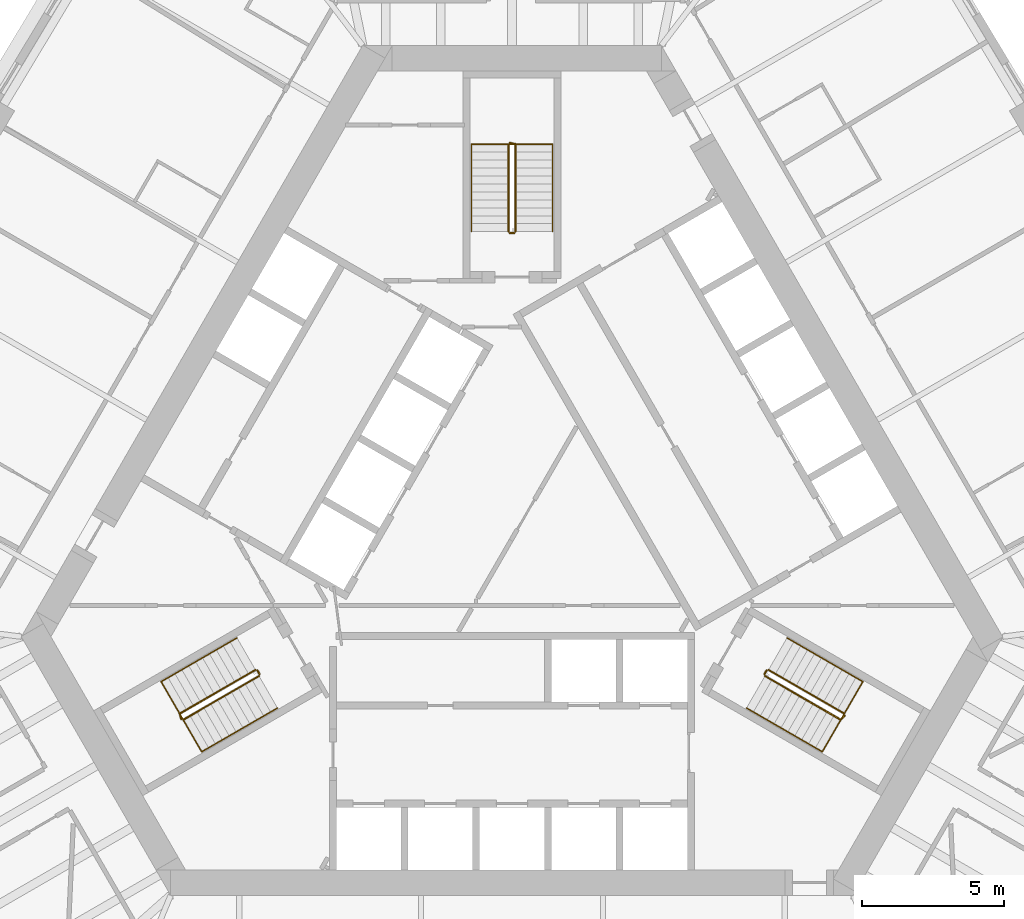
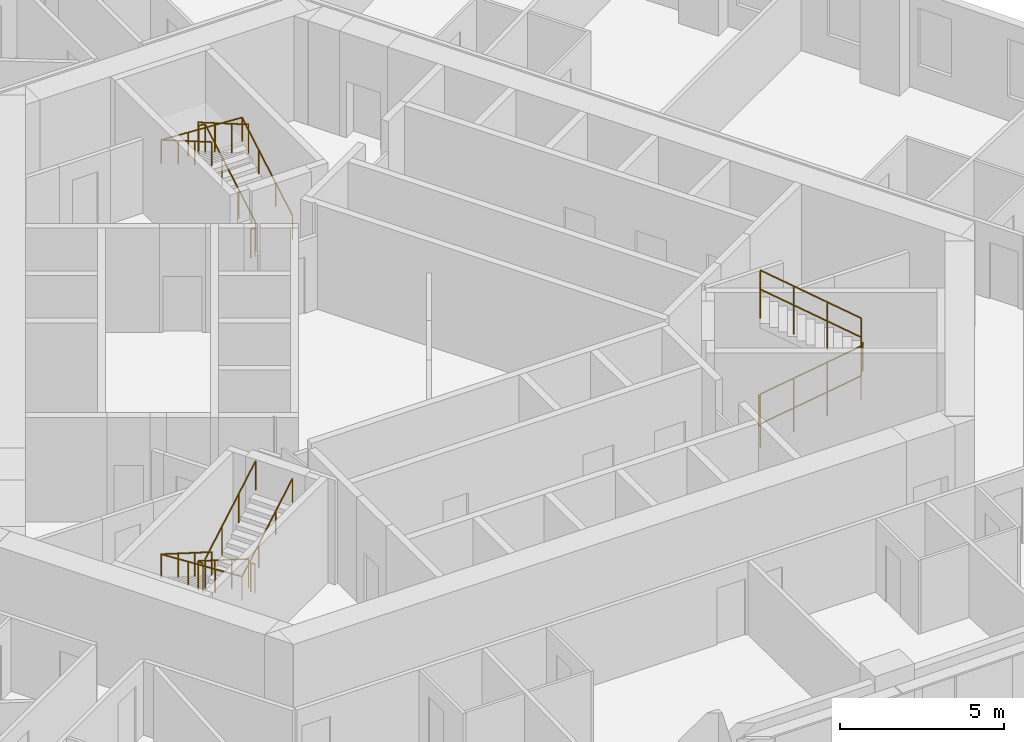
# One storey, part 13 of 13: 12 railings.
"""IFC4 building model written with IfcOpenShell, lengths in metres."""

from ifc_helpers import new_model, si_unit, direction, frame, origin, origin_2d, place, context, subcontext, project, spatial, circle, extrude, material, type_object, element, save


model = new_model("IFC4")

# Units and contexts
model_context = context("Model", 3, precision=1e-05, world=origin(), true_north=direction((0.0, 1.0)))
body_context = subcontext(model_context, "Body", "Model", "MODEL_VIEW")
ifc_project = project(units=[si_unit("LENGTHUNIT", "METRE"), si_unit("AREAUNIT", "SQUARE_METRE"), si_unit("VOLUMEUNIT", "CUBIC_METRE"), si_unit("PLANEANGLEUNIT", "RADIAN"), si_unit("MASSUNIT", "GRAM", prefix="KILO")], contexts=[model_context])

# Site, building, storey
site_placement = place(None, origin())
site = spatial("IfcSite", under=ifc_project, at=site_placement, CompositionType="ELEMENT")
building_placement = place(site_placement, origin())
building = spatial("IfcBuilding", under=site, at=building_placement, Name="Mestral Congress Tower", CompositionType="ELEMENT")
storey_placement = place(building_placement, frame((0.0, 0.0, 54.89990234375)))
storey = spatial("IfcBuildingStorey", under=building, at=storey_placement, Name="L12", CompositionType="ELEMENT", Elevation=54.89990234375)

# Railings
ifc_material_1 = material(Name="Steel balustrade", Category="steel")
railing_type_1 = type_object("IfcRailingType", Name="Stair guard 1100", PredefinedType="GUARDRAIL", material=ifc_material_1)
railing_1_placement = place(storey_placement, frame((8.90087890625, -5.283203125, 0.16259765625)))
element("IfcRailing", 1, at=railing_1_placement, inside=storey, type_object=railing_type_1, Name="L12 ST1 stair guard 1", PredefinedType="GUARDRAIL", context=body_context, shape_type="SweptSolid", body=[
    extrude(circle(Radius=0.02392578125, at=origin_2d()), frame((0.0, 0.0, 1.076171875), z_axis=(0.748993966903, -0.432462603499, 0.501980212875), x_axis=(0.500026652407, 0.866010015463, 0.0)), (0.0, 0.0, 1.0), 3.56103515625),
    extrude(circle(Radius=0.02392578125, at=origin_2d()), frame((2.667236328125, -1.5400390625, 2.86376953125), z_axis=(0.695164929852, 0.718850276695, 0.0), x_axis=(-0.718850276695, 0.695164929852, 0.0)), (0.0, 0.0, 1.0), 0.2060546875),
    extrude(circle(Radius=0.02099609375, at=origin_2d()), origin(), (0.0, 0.0, 1.0), 1.052001953125),
    extrude(circle(Radius=0.02099609375, at=origin_2d()), frame((0.88916015625, -0.513427734375, 0.595947265625)), (0.0, 0.0, 1.0), 1.052001953125),
    extrude(circle(Radius=0.02099609375, at=origin_2d()), frame((1.778076171875, -1.026611328125, 1.191650390625)), (0.0, 0.0, 1.0), 1.052001953125),
    extrude(circle(Radius=0.02099609375, at=origin_2d()), frame((2.667236328125, -1.5400390625, 1.78759765625)), (0.0, 0.0, 1.0), 1.052001953125),
    extrude(circle(Radius=0.02099609375, at=origin_2d()), frame((2.810546875, -1.391845703125, 1.78759765625)), (0.0, 0.0, 1.0), 1.052001953125),
])
railing_2_placement = place(storey_placement, frame((11.693115234375, -6.606689453125, 2.112548828125)))
element("IfcRailing", 2, at=railing_2_placement, inside=storey, type_object=railing_type_1, Name="L12 ST1 stair guard 2", PredefinedType="GUARDRAIL", context=body_context, shape_type="SweptSolid", body=[
    extrude(circle(Radius=0.02392578125, at=origin_2d()), frame((0.0, 0.0, 1.076171875), z_axis=(-0.748993966903, 0.432462603499, 0.501980212875), x_axis=(-0.500026652407, -0.866010015463, 0.0)), (0.0, 0.0, 1.0), 3.56103515625),
    extrude(circle(Radius=0.02099609375, at=origin_2d()), origin(), (0.0, 0.0, 1.0), 1.052001953125),
    extrude(circle(Radius=0.02099609375, at=origin_2d()), frame((-0.88916015625, 0.513427734375, 0.595947265625)), (0.0, 0.0, 1.0), 1.052001953125),
    extrude(circle(Radius=0.02099609375, at=origin_2d()), frame((-1.778076171875, 1.026611328125, 1.191650390625)), (0.0, 0.0, 1.0), 1.052001953125),
    extrude(circle(Radius=0.02099609375, at=origin_2d()), frame((-2.667236328125, 1.5400390625, 1.78759765625)), (0.0, 0.0, 1.0), 1.052001953125),
])
railing_3_placement = place(storey_placement, frame((8.882568359375, -5.21484375, 0.0)))
element("IfcRailing", 3, at=railing_3_placement, inside=storey, type_object=railing_type_1, Name="L12 ST1 stair guard 3", PredefinedType="GUARDRAIL", context=body_context, shape_type="SweptSolid", body=[
    extrude(circle(Radius=0.02392578125, at=origin_2d()), frame((0.0, 0.0, 1.076171875), z_axis=(0.499816412211, 0.866131372301, 0.0), x_axis=(-0.866131372301, 0.499816412211, 0.0)), (0.0, 0.0, 1.0), 0.14990234375),
    extrude(circle(Radius=0.02099609375, at=origin_2d()), origin(), (0.0, 0.0, 1.0), 1.052001953125),
    extrude(circle(Radius=0.02099609375, at=origin_2d()), frame((0.074951171875, 0.1298828125, 0.0)), (0.0, 0.0, 1.0), 1.052001953125),
])
railing_4_placement = place(storey_placement, frame((0.125, 10.35009765625, 0.16259765625)))
element("IfcRailing", 4, at=railing_4_placement, inside=storey, type_object=railing_type_1, Name="L12 ST2 stair guard 1", PredefinedType="GUARDRAIL", context=body_context, shape_type="SweptSolid", body=[
    extrude(circle(Radius=0.02392578125, at=origin_2d()), frame((0.0, 0.0, 1.076171875), z_axis=(0.0, 0.864873446163, 0.501989962173), x_axis=(-1.0, 0.0, 0.0)), (0.0, 0.0, 1.0), 3.56103515625),
    extrude(circle(Radius=0.02392578125, at=origin_2d()), frame((0.0, 3.079833984375, 2.86376953125), z_axis=(-0.970072785993, 0.242814311512, 0.0), x_axis=(-0.242814311512, -0.970072785993, 0.0)), (0.0, 0.0, 1.0), 0.2060546875),
    extrude(circle(Radius=0.02099609375, at=origin_2d()), origin(), (0.0, 0.0, 1.0), 1.052001953125),
    extrude(circle(Radius=0.02099609375, at=origin_2d()), frame((0.0, 1.026611328125, 0.595947265625)), (0.0, 0.0, 1.0), 1.052001953125),
    extrude(circle(Radius=0.02099609375, at=origin_2d()), frame((0.0, 2.05322265625, 1.191650390625)), (0.0, 0.0, 1.0), 1.052001953125),
    extrude(circle(Radius=0.02099609375, at=origin_2d()), frame((0.0, 3.079833984375, 1.78759765625)), (0.0, 0.0, 1.0), 1.052001953125),
    extrude(circle(Radius=0.02099609375, at=origin_2d()), frame((-0.199951171875, 3.1298828125, 1.78759765625)), (0.0, 0.0, 1.0), 1.052001953125),
])
railing_5_placement = place(storey_placement, frame((-0.125, 13.429931640625, 2.112548828125)))
element("IfcRailing", 5, at=railing_5_placement, inside=storey, type_object=railing_type_1, Name="L12 ST2 stair guard 2", PredefinedType="GUARDRAIL", context=body_context, shape_type="SweptSolid", body=[
    extrude(circle(Radius=0.02392578125, at=origin_2d()), frame((0.0, 0.0, 1.076171875), z_axis=(0.0, -0.864873446163, 0.501989962173), x_axis=(1.0, 0.0, 0.0)), (0.0, 0.0, 1.0), 3.56103515625),
    extrude(circle(Radius=0.02099609375, at=origin_2d()), origin(), (0.0, 0.0, 1.0), 1.052001953125),
    extrude(circle(Radius=0.02099609375, at=origin_2d()), frame((0.0, -1.026611328125, 0.595947265625)), (0.0, 0.0, 1.0), 1.052001953125),
    extrude(circle(Radius=0.02099609375, at=origin_2d()), frame((0.0, -2.05322265625, 1.191650390625)), (0.0, 0.0, 1.0), 1.052001953125),
    extrude(circle(Radius=0.02099609375, at=origin_2d()), frame((0.0, -3.079833984375, 1.78759765625)), (0.0, 0.0, 1.0), 1.052001953125),
])
railing_6_placement = place(storey_placement, frame((0.074951171875, 10.300048828125, 0.0)))
element("IfcRailing", 6, at=railing_6_placement, inside=storey, type_object=railing_type_1, Name="L12 ST2 stair guard 3", PredefinedType="GUARDRAIL", context=body_context, shape_type="SweptSolid", body=[
    extrude(circle(Radius=0.02392578125, at=origin_2d()), frame((0.0, 0.0, 1.076171875), z_axis=(-1.0, 0.0, 0.0), x_axis=(0.0, -1.0, 0.0)), (0.0, 0.0, 1.0), 0.14990234375),
    extrude(circle(Radius=0.02099609375, at=origin_2d()), origin(), (0.0, 0.0, 1.0), 1.052001953125),
    extrude(circle(Radius=0.02099609375, at=origin_2d()), frame((-0.14990234375, 0.0, 0.0)), (0.0, 0.0, 1.0), 1.052001953125),
])
railing_7_placement = place(storey_placement, frame((-9.02587890625, -5.066650390625, 0.16259765625)))
element("IfcRailing", 7, at=railing_7_placement, inside=storey, type_object=railing_type_1, Name="L12 ST3 stair guard 1", PredefinedType="GUARDRAIL", context=body_context, shape_type="SweptSolid", body=[
    extrude(circle(Radius=0.02392578125, at=origin_2d()), frame((0.0, 0.0, 1.076171875), z_axis=(-0.748993966903, -0.432462603499, 0.501980212875), x_axis=(0.500026652407, -0.866010015463, 0.0)), (0.0, 0.0, 1.0), 3.56103515625),
    extrude(circle(Radius=0.02392578125, at=origin_2d()), frame((-2.667236328125, -1.5400390625, 2.86376953125), z_axis=(0.274721127897, -0.961523947641, 0.0), x_axis=(0.961523947641, 0.274721127897, 0.0)), (0.0, 0.0, 1.0), 0.2060546875),
    extrude(circle(Radius=0.02099609375, at=origin_2d()), origin(), (0.0, 0.0, 1.0), 1.052001953125),
    extrude(circle(Radius=0.02099609375, at=origin_2d()), frame((-0.88916015625, -0.513427734375, 0.595947265625)), (0.0, 0.0, 1.0), 1.052001953125),
    extrude(circle(Radius=0.02099609375, at=origin_2d()), frame((-1.778076171875, -1.026611328125, 1.191650390625)), (0.0, 0.0, 1.0), 1.052001953125),
    extrude(circle(Radius=0.02099609375, at=origin_2d()), frame((-2.667236328125, -1.5400390625, 1.78759765625)), (0.0, 0.0, 1.0), 1.052001953125),
    extrude(circle(Radius=0.02099609375, at=origin_2d()), frame((-2.610595703125, -1.73828125, 1.78759765625)), (0.0, 0.0, 1.0), 1.052001953125),
])
railing_8_placement = place(storey_placement, frame((-11.568115234375, -6.8232421875, 2.112548828125)))
element("IfcRailing", 8, at=railing_8_placement, inside=storey, type_object=railing_type_1, Name="L12 ST3 stair guard 2", PredefinedType="GUARDRAIL", context=body_context, shape_type="SweptSolid", body=[
    extrude(circle(Radius=0.02392578125, at=origin_2d()), frame((0.0, 0.0, 1.076171875), z_axis=(0.748993966903, 0.432462603499, 0.501980212875), x_axis=(-0.500026652407, 0.866010015463, 0.0)), (0.0, 0.0, 1.0), 3.56103515625),
    extrude(circle(Radius=0.02099609375, at=origin_2d()), origin(), (0.0, 0.0, 1.0), 1.052001953125),
    extrude(circle(Radius=0.02099609375, at=origin_2d()), frame((0.88916015625, 0.513427734375, 0.595947265625)), (0.0, 0.0, 1.0), 1.052001953125),
    extrude(circle(Radius=0.02099609375, at=origin_2d()), frame((1.778076171875, 1.026611328125, 1.191650390625)), (0.0, 0.0, 1.0), 1.052001953125),
    extrude(circle(Radius=0.02099609375, at=origin_2d()), frame((2.667236328125, 1.5400390625, 1.78759765625)), (0.0, 0.0, 1.0), 1.052001953125),
])
railing_9_placement = place(storey_placement, frame((-8.95751953125, -5.0849609375, 0.0)))
element("IfcRailing", 9, at=railing_9_placement, inside=storey, type_object=railing_type_1, Name="L12 ST3 stair guard 3", PredefinedType="GUARDRAIL", context=body_context, shape_type="SweptSolid", body=[
    extrude(circle(Radius=0.02392578125, at=origin_2d()), frame((0.0, 0.0, 1.076171875), z_axis=(0.499816412211, -0.866131372301, 0.0), x_axis=(0.866131372301, 0.499816412211, 0.0)), (0.0, 0.0, 1.0), 0.14990234375),
    extrude(circle(Radius=0.02099609375, at=origin_2d()), origin(), (0.0, 0.0, 1.0), 1.052001953125),
    extrude(circle(Radius=0.02099609375, at=origin_2d()), frame((0.074951171875, -0.1298828125, 0.0)), (0.0, 0.0, 1.0), 1.052001953125),
])
ifc_material_2 = material(Name="Steel handrail", Category="steel")
railing_type_2 = type_object("IfcRailingType", Name="Stair handrail 900", PredefinedType="HANDRAIL", material=ifc_material_2)
railing_10_placement = place(storey_placement, frame((8.2509765625, -6.4091796875, 0.16259765625)))
element("IfcRailing", 10, at=railing_10_placement, inside=storey, type_object=railing_type_2, Name="L12 ST1 stair handrail 1", PredefinedType="HANDRAIL", context=body_context, shape_type="SweptSolid", body=[
    extrude(circle(Radius=0.02392578125, at=origin_2d()), frame((0.0, 0.0, 0.8759765625), z_axis=(0.749016172816, -0.432406865167, 0.50199509541), x_axis=(0.499967199496, 0.866044340336, 0.0)), (0.0, 0.0, 1.0), 3.56103515625),
    extrude(circle(Radius=0.02392578125, at=origin_2d()), frame((2.667236328125, -1.539794921875, 2.66357421875), z_axis=(0.499226936105, 0.864602552182, 0.056876120012), x_axis=(-0.866004402611, 0.500036373335, 0.0)), (0.0, 0.0, 1.0), 2.8544921875),
    extrude(circle(Radius=0.02392578125, at=origin_2d()), frame((4.09228515625, 0.92822265625, 2.82568359375), z_axis=(-0.74902406201, 0.432440397507, 0.501954437309), x_axis=(-0.499992328818, -0.866029832698, 0.0)), (0.0, 0.0, 1.0), 3.561279296875),
    extrude(circle(Radius=0.02099609375, at=origin_2d()), origin(), (0.0, 0.0, 1.0), 0.851806640625),
    extrude(circle(Radius=0.02099609375, at=origin_2d()), frame((0.88916015625, -0.51318359375, 0.595947265625)), (0.0, 0.0, 1.0), 0.851806640625),
    extrude(circle(Radius=0.02099609375, at=origin_2d()), frame((1.778076171875, -1.026611328125, 1.191650390625)), (0.0, 0.0, 1.0), 0.851806640625),
    extrude(circle(Radius=0.02099609375, at=origin_2d()), frame((2.667236328125, -1.539794921875, 1.78759765625)), (0.0, 0.0, 1.0), 0.851806640625),
    extrude(circle(Radius=0.02099609375, at=origin_2d()), frame((3.142333984375, -0.717041015625, 1.841796875)), (0.0, 0.0, 1.0), 0.851806640625),
    extrude(circle(Radius=0.02099609375, at=origin_2d()), frame((3.6171875, 0.10546875, 1.895751953125)), (0.0, 0.0, 1.0), 0.851806640625),
    extrude(circle(Radius=0.02099609375, at=origin_2d()), frame((4.09228515625, 0.92822265625, 1.949951171875)), (0.0, 0.0, 1.0), 0.851806640625),
    extrude(circle(Radius=0.02099609375, at=origin_2d()), frame((3.203125, 1.441650390625, 2.5458984375)), (0.0, 0.0, 1.0), 0.851806640625),
    extrude(circle(Radius=0.02099609375, at=origin_2d()), frame((2.31396484375, 1.954833984375, 3.1416015625)), (0.0, 0.0, 1.0), 0.851806640625),
    extrude(circle(Radius=0.02099609375, at=origin_2d()), frame((1.4248046875, 2.46826171875, 3.737548828125)), (0.0, 0.0, 1.0), 0.851806640625),
])
railing_11_placement = place(storey_placement, frame((1.425048828125, 10.35009765625, 0.16259765625)))
element("IfcRailing", 11, at=railing_11_placement, inside=storey, type_object=railing_type_2, Name="L12 ST2 stair handrail 1", PredefinedType="HANDRAIL", context=body_context, shape_type="SweptSolid", body=[
    extrude(circle(Radius=0.02392578125, at=origin_2d()), frame((0.0, 0.0, 0.8759765625), z_axis=(0.0, 0.864873446163, 0.501989962173), x_axis=(-1.0, 0.0, 0.0)), (0.0, 0.0, 1.0), 3.56103515625),
    extrude(circle(Radius=0.02392578125, at=origin_2d()), frame((0.0, 3.079833984375, 2.66357421875), z_axis=(-0.998381478221, 0.0, 0.056871996147), x_axis=(0.0, -1.0, 0.0)), (0.0, 0.0, 1.0), 2.854736328125),
    extrude(circle(Radius=0.02392578125, at=origin_2d()), frame((-2.85009765625, 3.079833984375, 2.82568359375), z_axis=(0.0, -0.864873446163, 0.501989962173), x_axis=(1.0, 0.0, 0.0)), (0.0, 0.0, 1.0), 3.56103515625),
    extrude(circle(Radius=0.02099609375, at=origin_2d()), origin(), (0.0, 0.0, 1.0), 0.851806640625),
    extrude(circle(Radius=0.02099609375, at=origin_2d()), frame((0.0, 1.026611328125, 0.595947265625)), (0.0, 0.0, 1.0), 0.851806640625),
    extrude(circle(Radius=0.02099609375, at=origin_2d()), frame((0.0, 2.05322265625, 1.191650390625)), (0.0, 0.0, 1.0), 0.851806640625),
    extrude(circle(Radius=0.02099609375, at=origin_2d()), frame((0.0, 3.079833984375, 1.78759765625)), (0.0, 0.0, 1.0), 0.851806640625),
    extrude(circle(Radius=0.02099609375, at=origin_2d()), frame((-0.949951171875, 3.079833984375, 1.841796875)), (0.0, 0.0, 1.0), 0.851806640625),
    extrude(circle(Radius=0.02099609375, at=origin_2d()), frame((-1.900146484375, 3.079833984375, 1.895751953125)), (0.0, 0.0, 1.0), 0.851806640625),
    extrude(circle(Radius=0.02099609375, at=origin_2d()), frame((-2.85009765625, 3.079833984375, 1.949951171875)), (0.0, 0.0, 1.0), 0.851806640625),
    extrude(circle(Radius=0.02099609375, at=origin_2d()), frame((-2.85009765625, 2.05322265625, 2.5458984375)), (0.0, 0.0, 1.0), 0.851806640625),
    extrude(circle(Radius=0.02099609375, at=origin_2d()), frame((-2.85009765625, 1.026611328125, 3.1416015625)), (0.0, 0.0, 1.0), 0.851806640625),
    extrude(circle(Radius=0.02099609375, at=origin_2d()), frame((-2.85009765625, 0.0, 3.737548828125)), (0.0, 0.0, 1.0), 0.851806640625),
])
railing_12_placement = place(storey_placement, frame((-9.67578125, -3.94091796875, 0.16259765625)))
element("IfcRailing", 12, at=railing_12_placement, inside=storey, type_object=railing_type_2, Name="L12 ST3 stair handrail 1", PredefinedType="HANDRAIL", context=body_context, shape_type="SweptSolid", body=[
    extrude(circle(Radius=0.02392578125, at=origin_2d()), frame((0.0, 0.0, 0.8759765625), z_axis=(-0.74902406201, -0.432440397507, 0.501954437309), x_axis=(0.499992328818, -0.866029832698, 0.0)), (0.0, 0.0, 1.0), 3.561279296875),
    extrude(circle(Radius=0.02392578125, at=origin_2d()), frame((-2.66748046875, -1.5400390625, 2.66357421875), z_axis=(0.499226936105, -0.864602552182, 0.056876120012), x_axis=(0.866004402611, 0.500036373335, 0.0)), (0.0, 0.0, 1.0), 2.8544921875),
    extrude(circle(Radius=0.02392578125, at=origin_2d()), frame((-1.242431640625, -4.008056640625, 2.82568359375), z_axis=(0.749016172816, 0.432406865167, 0.50199509541), x_axis=(-0.499967199496, 0.866044340336, 0.0)), (0.0, 0.0, 1.0), 3.56103515625),
    extrude(circle(Radius=0.02099609375, at=origin_2d()), origin(), (0.0, 0.0, 1.0), 0.851806640625),
    extrude(circle(Radius=0.02099609375, at=origin_2d()), frame((-0.88916015625, -0.513427734375, 0.595947265625)), (0.0, 0.0, 1.0), 0.851806640625),
    extrude(circle(Radius=0.02099609375, at=origin_2d()), frame((-1.7783203125, -1.026611328125, 1.191650390625)), (0.0, 0.0, 1.0), 0.851806640625),
    extrude(circle(Radius=0.02099609375, at=origin_2d()), frame((-2.66748046875, -1.5400390625, 1.78759765625)), (0.0, 0.0, 1.0), 0.851806640625),
    extrude(circle(Radius=0.02099609375, at=origin_2d()), frame((-2.1923828125, -2.36279296875, 1.841796875)), (0.0, 0.0, 1.0), 0.851806640625),
    extrude(circle(Radius=0.02099609375, at=origin_2d()), frame((-1.717529296875, -3.185302734375, 1.895751953125)), (0.0, 0.0, 1.0), 0.851806640625),
    extrude(circle(Radius=0.02099609375, at=origin_2d()), frame((-1.242431640625, -4.008056640625, 1.949951171875)), (0.0, 0.0, 1.0), 0.851806640625),
    extrude(circle(Radius=0.02099609375, at=origin_2d()), frame((-0.353271484375, -3.494873046875, 2.5458984375)), (0.0, 0.0, 1.0), 0.851806640625),
    extrude(circle(Radius=0.02099609375, at=origin_2d()), frame((0.53564453125, -2.9814453125, 3.1416015625)), (0.0, 0.0, 1.0), 0.851806640625),
    extrude(circle(Radius=0.02099609375, at=origin_2d()), frame((1.4248046875, -2.46826171875, 3.737548828125)), (0.0, 0.0, 1.0), 0.851806640625),
])

save(model, "model.ifc")
